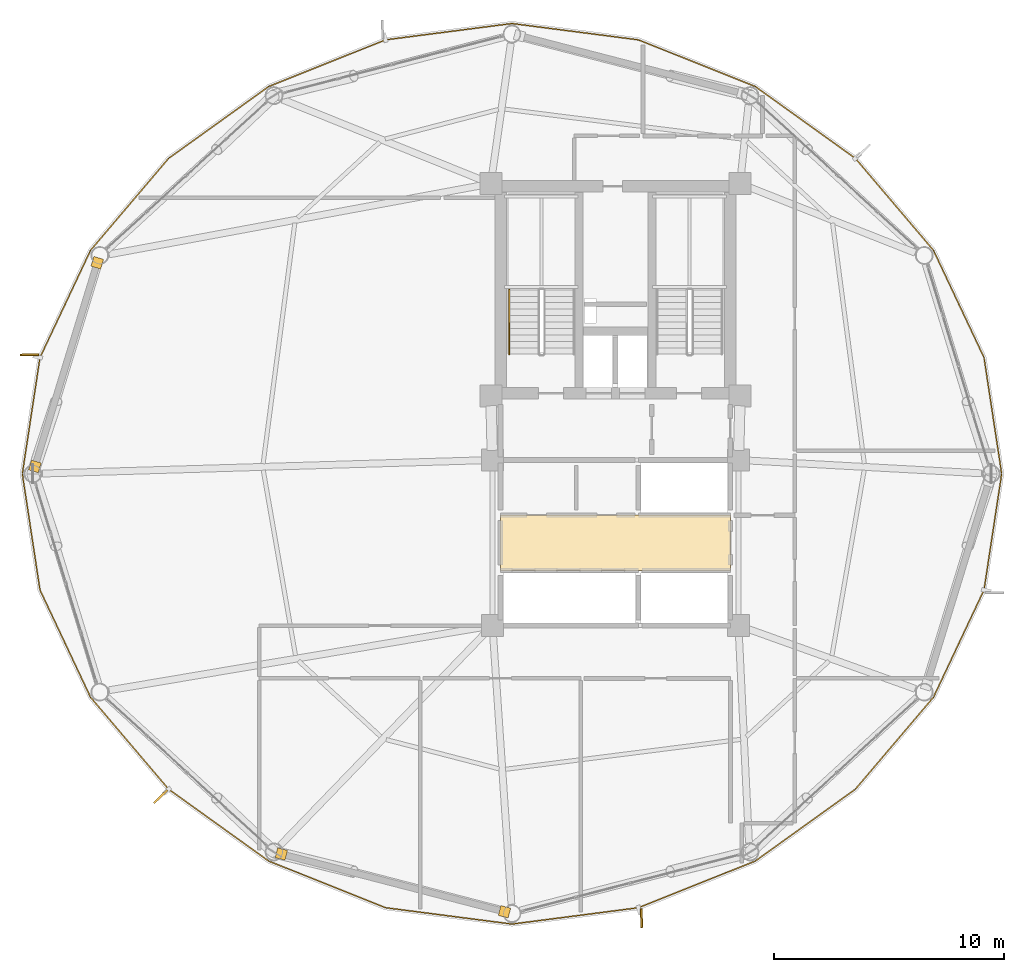
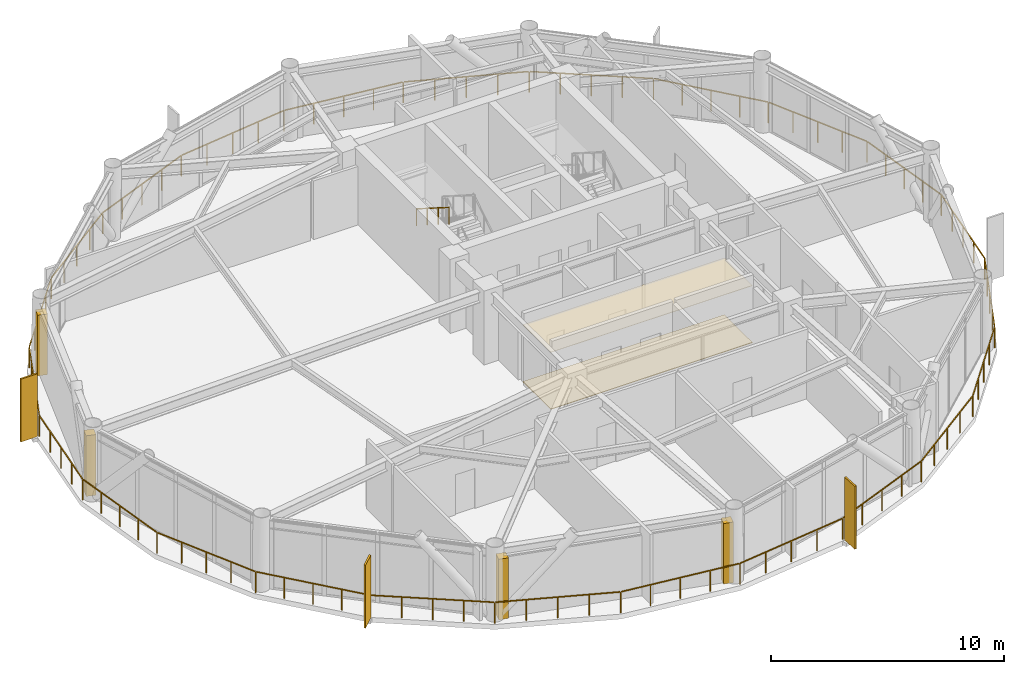
# One storey, part 23 of 25: 6 coverings, 3 shading devices, 2 railings.
"""IFC4 building model written with IfcOpenShell, lengths in metres."""

from ifc_helpers import new_model, si_unit, direction, frame, origin, origin_2d, place, context, subcontext, project, spatial, polyline, rectangle, outline, extrude, source, transform, mapped, material, layer, layer_set, type_object, type_shapes, element, save


model = new_model("IFC4")

# Units and contexts
model_context = context("Model", 3, precision=1e-05, world=origin(), true_north=direction((0.0, 1.0)))
body_context = subcontext(model_context, "Body", "Model", "MODEL_VIEW")
ifc_project = project(units=[si_unit("LENGTHUNIT", "METRE"), si_unit("AREAUNIT", "SQUARE_METRE"), si_unit("VOLUMEUNIT", "CUBIC_METRE"), si_unit("PLANEANGLEUNIT", "RADIAN"), si_unit("MASSUNIT", "GRAM", prefix="KILO")], contexts=[model_context])

# Site, building, storey
site_placement = place(None, origin())
site = spatial("IfcSite", under=ifc_project, at=site_placement, CompositionType="ELEMENT")
building_placement = place(site_placement, origin())
building = spatial("IfcBuilding", under=site, at=building_placement, Name="Varnakorn Sky Granary", CompositionType="ELEMENT")
storey_placement = place(building_placement, frame((0.0, 0.0, 146.10009765625)))
storey = spatial("IfcBuildingStorey", under=building, at=storey_placement, Name="L36", CompositionType="ELEMENT", Elevation=146.10009765625)

# Coverings
ifc_material_1 = material(Name="Perforated Acoustic Mineral-Fibre Ceiling", Category="gypsum")
ifc_layer_1 = layer(ifc_material_1, 0.02001953125, Name="Perforated Acoustic Mineral-Fibre Ceiling")
ifc_layer_set_1 = layer_set([ifc_layer_1], Name="Perforated Acoustic Mineral-Fibre Ceiling")
covering_type_1 = type_object("IfcCoveringType", Name="CV-CEIL-20", PredefinedType="CEILING", material=ifc_layer_set_1)
covering_1_placement = place(storey_placement, frame((0.0, 0.0, 2.989990234375)))
element("IfcCovering", 1, at=covering_1_placement, inside=storey, type_object=covering_type_1, Name="Lift Lobby Perforated Acoustic Ceiling L36", PredefinedType="CEILING", context=body_context, shape_type="SweptSolid", body=[
    extrude(outline(polyline([(-2.0, -4.199951171875), (8.0, -4.199951171875), (8.0, -1.800048828125), (-2.0, -1.800048828125), (-2.0, -4.199951171875)])), origin(), (0.0, 0.0, 1.0), 0.02001953125),
])
ifc_material_2 = material(Name="Honed Epoxy Terrazzo Topping", Category="concrete")
ifc_layer_2 = layer(ifc_material_2, 0.030029296875, Name="Honed Epoxy Terrazzo Topping")
ifc_layer_set_2 = layer_set([ifc_layer_2], Name="Honed Epoxy Terrazzo Topping")
covering_type_2 = type_object("IfcCoveringType", Name="CV-FLOR-30", PredefinedType="FLOORING", material=ifc_layer_set_2)
covering_2_placement = place(storey_placement, origin())
element("IfcCovering", 2, at=covering_2_placement, inside=storey, type_object=covering_type_2, Name="Lift Lobby Terrazzo Floor Finish L36", PredefinedType="FLOORING", context=body_context, shape_type="SweptSolid", body=[
    extrude(outline(polyline([(-2.0, -4.199951171875), (8.0, -4.199951171875), (8.0, -1.800048828125), (-2.0, -1.800048828125), (-2.0, -4.199951171875)])), origin(), (0.0, 0.0, 1.0), 0.02978515625),
])

# Railings
ifc_material_3 = material(Name="Anodised Bronze Aluminium Alloy 6063-T6", Category="aluminium")
railing_type_1 = type_object("IfcRailingType", Name="RL-BAL-1120", PredefinedType="BALUSTRADE", material=ifc_material_3)
railing_1_placement = place(storey_placement, frame((19.798828125, 0.0, 0.0)))
element("IfcRailing", 3, at=railing_1_placement, inside=storey, type_object=railing_type_1, Name="Perimeter Slab-Edge Safety Guard L36", PredefinedType="BALUSTRADE", context=body_context, shape_type="SweptSolid", body=[
    extrude(rectangle(XDim=0.048095703125, YDim=0.048095703125, at=origin_2d()), frame((-0.004150390625, -0.027587890625, 1.09619140625), z_axis=(-0.150287764608, -0.988642295175, 0.0), x_axis=(0.988642295175, -0.150287764608, 0.0)), (0.0, 0.0, 1.0), 5.05615234375),
    extrude(rectangle(XDim=0.048095703125, YDim=0.048095703125, at=origin_2d()), frame((-0.7802734375, -5.07958984375, 1.09619140625), z_axis=(-0.426289243987, -0.904586911502, 0.0), x_axis=(0.904586911502, -0.426289243987, 0.0)), (0.0, 0.0, 1.0), 5.10302734375),
    extrude(rectangle(XDim=0.048095703125, YDim=0.048095703125, at=origin_2d()), frame((-2.985595703125, -9.7421875, 1.09619140625), z_axis=(-0.647276754389, -0.762255077535, 0.0), x_axis=(0.762255077535, -0.647276754389, 0.0)), (0.0, 0.0, 1.0), 5.188720703125),
    extrude(rectangle(XDim=0.048095703125, YDim=0.048095703125, at=origin_2d()), frame((-6.385009765625, -13.735107421875, 1.09619140625), z_axis=(-0.81233646398, -0.58318905107, 0.0), x_axis=(0.58318905107, -0.81233646398, 0.0)), (0.0, 0.0, 1.0), 5.302001953125),
    extrude(rectangle(XDim=0.048095703125, YDim=0.048095703125, at=origin_2d()), frame((-10.740966796875, -16.85400390625, 1.09619140625), z_axis=(-0.928627362348, -0.371013775887, 0.0), x_axis=(0.371013775887, -0.928627362348, 0.0)), (0.0, 0.0, 1.0), 5.4169921875),
    extrude(rectangle(XDim=0.048095703125, YDim=0.048095703125, at=origin_2d()), frame((-15.824951171875, -18.877685546875, 1.09619140625), z_axis=(-0.991748470984, -0.128198948124, 0.0), x_axis=(0.128198948124, -0.991748470984, 0.0)), (0.0, 0.0, 1.0), 5.491455078125),
    extrude(rectangle(XDim=0.048095703125, YDim=0.048095703125, at=origin_2d()), frame((-21.32666015625, -19.58154296875, 1.09619140625), z_axis=(-0.991748470984, 0.128198948124, 0.0), x_axis=(-0.128198948124, -0.991748470984, 0.0)), (0.0, 0.0, 1.0), 5.491455078125),
    extrude(rectangle(XDim=0.048095703125, YDim=0.048095703125, at=origin_2d()), frame((-26.82666015625, -18.863525390625, 1.09619140625), z_axis=(-0.928627362348, 0.371013775887, 0.0), x_axis=(-0.371013775887, -0.928627362348, 0.0)), (0.0, 0.0, 1.0), 5.4169921875),
    extrude(rectangle(XDim=0.048095703125, YDim=0.048095703125, at=origin_2d()), frame((-31.905517578125, -16.8271484375, 1.09619140625), z_axis=(-0.81233646398, 0.58318905107, 0.0), x_axis=(-0.58318905107, -0.81233646398, 0.0)), (0.0, 0.0, 1.0), 5.302001953125),
    extrude(rectangle(XDim=0.048095703125, YDim=0.048095703125, at=origin_2d()), frame((-36.25341796875, -13.697509765625, 1.09619140625), z_axis=(-0.647276754389, 0.762255077535, 0.0), x_axis=(-0.762255077535, -0.647276754389, 0.0)), (0.0, 0.0, 1.0), 5.188720703125),
    extrude(rectangle(XDim=0.048095703125, YDim=0.048095703125, at=origin_2d()), frame((-39.64208984375, -9.695556640625, 1.09619140625), z_axis=(-0.426289243987, 0.904586911502, 0.0), x_axis=(-0.904586911502, -0.426289243987, 0.0)), (0.0, 0.0, 1.0), 5.10302734375),
    extrude(rectangle(XDim=0.048095703125, YDim=0.048095703125, at=origin_2d()), frame((-41.83349609375, -5.026611328125, 1.09619140625), z_axis=(-0.150287764608, 0.988642295175, 0.0), x_axis=(-0.988642295175, -0.150287764608, 0.0)), (0.0, 0.0, 1.0), 5.05615234375),
    extrude(rectangle(XDim=0.048095703125, YDim=0.048095703125, at=origin_2d()), frame((-42.593505859375, 0.027587890625, 1.09619140625), z_axis=(0.150287764608, 0.988642295175, 0.0), x_axis=(-0.988642295175, 0.150287764608, 0.0)), (0.0, 0.0, 1.0), 5.05615234375),
    extrude(rectangle(XDim=0.048095703125, YDim=0.048095703125, at=origin_2d()), frame((-41.8173828125, 5.07958984375, 1.09619140625), z_axis=(0.426289243987, 0.904586911502, 0.0), x_axis=(-0.904586911502, 0.426289243987, 0.0)), (0.0, 0.0, 1.0), 5.10302734375),
    extrude(rectangle(XDim=0.048095703125, YDim=0.048095703125, at=origin_2d()), frame((-39.612060546875, 9.7421875, 1.09619140625), z_axis=(0.647276754389, 0.762255077535, 0.0), x_axis=(-0.762255077535, 0.647276754389, 0.0)), (0.0, 0.0, 1.0), 5.188720703125),
    extrude(rectangle(XDim=0.048095703125, YDim=0.048095703125, at=origin_2d()), frame((-36.212646484375, 13.735107421875, 1.09619140625), z_axis=(0.81233646398, 0.58318905107, 0.0), x_axis=(-0.58318905107, 0.81233646398, 0.0)), (0.0, 0.0, 1.0), 5.302001953125),
    extrude(rectangle(XDim=0.048095703125, YDim=0.048095703125, at=origin_2d()), frame((-31.856689453125, 16.85400390625, 1.09619140625), z_axis=(0.928627362348, 0.371013775887, 0.0), x_axis=(-0.371013775887, 0.928627362348, 0.0)), (0.0, 0.0, 1.0), 5.4169921875),
    extrude(rectangle(XDim=0.048095703125, YDim=0.048095703125, at=origin_2d()), frame((-26.772705078125, 18.877685546875, 1.09619140625), z_axis=(0.991748470984, 0.128198948124, 0.0), x_axis=(-0.128198948124, 0.991748470984, 0.0)), (0.0, 0.0, 1.0), 5.491455078125),
    extrude(rectangle(XDim=0.048095703125, YDim=0.048095703125, at=origin_2d()), frame((-21.27099609375, 19.58154296875, 1.09619140625), z_axis=(0.991748470984, -0.128198948124, 0.0), x_axis=(0.128198948124, 0.991748470984, 0.0)), (0.0, 0.0, 1.0), 5.491455078125),
    extrude(rectangle(XDim=0.048095703125, YDim=0.048095703125, at=origin_2d()), frame((-15.77099609375, 18.863525390625, 1.09619140625), z_axis=(0.928627362348, -0.371013775887, 0.0), x_axis=(0.371013775887, 0.928627362348, 0.0)), (0.0, 0.0, 1.0), 5.4169921875),
    extrude(rectangle(XDim=0.048095703125, YDim=0.048095703125, at=origin_2d()), frame((-10.692138671875, 16.8271484375, 1.09619140625), z_axis=(0.81233646398, -0.58318905107, 0.0), x_axis=(0.58318905107, 0.81233646398, 0.0)), (0.0, 0.0, 1.0), 5.302001953125),
    extrude(rectangle(XDim=0.048095703125, YDim=0.048095703125, at=origin_2d()), frame((-6.34423828125, 13.697509765625, 1.09619140625), z_axis=(0.647276754389, -0.762255077535, 0.0), x_axis=(0.762255077535, 0.647276754389, 0.0)), (0.0, 0.0, 1.0), 5.188720703125),
    extrude(rectangle(XDim=0.048095703125, YDim=0.048095703125, at=origin_2d()), frame((-2.95556640625, 9.695556640625, 1.09619140625), z_axis=(0.426289243987, -0.904586911502, 0.0), x_axis=(0.904586911502, 0.426289243987, 0.0)), (0.0, 0.0, 1.0), 5.10302734375),
    extrude(rectangle(XDim=0.048095703125, YDim=0.048095703125, at=origin_2d()), frame((-0.76416015625, 5.026611328125, 1.09619140625), z_axis=(0.150287764608, -0.988642295175, 0.0), x_axis=(0.988642295175, 0.150287764608, 0.0)), (0.0, 0.0, 1.0), 5.05615234375),
    extrude(rectangle(XDim=0.0419921875, YDim=0.0419921875, at=origin_2d()), origin(), (0.0, 0.0, 1.0), 1.068115234375),
    extrude(rectangle(XDim=0.0419921875, YDim=0.0419921875, at=origin_2d()), frame((-0.192138671875, -1.263671875, 0.0)), (0.0, 0.0, 1.0), 1.068115234375),
    extrude(rectangle(XDim=0.0419921875, YDim=0.0419921875, at=origin_2d()), frame((-0.38427734375, -2.527099609375, 0.0)), (0.0, 0.0, 1.0), 1.068115234375),
    extrude(rectangle(XDim=0.0419921875, YDim=0.0419921875, at=origin_2d()), frame((-0.576171875, -3.79052734375, 0.0)), (0.0, 0.0, 1.0), 1.068115234375),
    extrude(rectangle(XDim=0.0419921875, YDim=0.0419921875, at=origin_2d()), frame((-0.768310546875, -5.05419921875, 0.0)), (0.0, 0.0, 1.0), 1.068115234375),
    extrude(rectangle(XDim=0.0419921875, YDim=0.0419921875, at=origin_2d()), frame((-1.318115234375, -6.220947265625, 0.0)), (0.0, 0.0, 1.0), 1.068115234375),
    extrude(rectangle(XDim=0.0419921875, YDim=0.0419921875, at=origin_2d()), frame((-1.867919921875, -7.3876953125, 0.0)), (0.0, 0.0, 1.0), 1.068115234375),
    extrude(rectangle(XDim=0.0419921875, YDim=0.0419921875, at=origin_2d()), frame((-2.417724609375, -8.55419921875, 0.0)), (0.0, 0.0, 1.0), 1.068115234375),
    extrude(rectangle(XDim=0.0419921875, YDim=0.0419921875, at=origin_2d()), frame((-2.967529296875, -9.720947265625, 0.0)), (0.0, 0.0, 1.0), 1.068115234375),
    extrude(rectangle(XDim=0.0419921875, YDim=0.0419921875, at=origin_2d()), frame((-3.816162109375, -10.720458984375, 0.0)), (0.0, 0.0, 1.0), 1.068115234375),
    extrude(rectangle(XDim=0.0419921875, YDim=0.0419921875, at=origin_2d()), frame((-4.6650390625, -11.7197265625, 0.0)), (0.0, 0.0, 1.0), 1.068115234375),
    extrude(rectangle(XDim=0.0419921875, YDim=0.0419921875, at=origin_2d()), frame((-5.513671875, -12.71923828125, 0.0)), (0.0, 0.0, 1.0), 1.068115234375),
    extrude(rectangle(XDim=0.0419921875, YDim=0.0419921875, at=origin_2d()), frame((-6.3623046875, -13.71875, 0.0)), (0.0, 0.0, 1.0), 1.068115234375),
    extrude(rectangle(XDim=0.0419921875, YDim=0.0419921875, at=origin_2d()), frame((-7.450439453125, -14.5, 0.0)), (0.0, 0.0, 1.0), 1.068115234375),
    extrude(rectangle(XDim=0.0419921875, YDim=0.0419921875, at=origin_2d()), frame((-8.53857421875, -15.28125, 0.0)), (0.0, 0.0, 1.0), 1.068115234375),
    extrude(rectangle(XDim=0.0419921875, YDim=0.0419921875, at=origin_2d()), frame((-9.626708984375, -16.062255859375, 0.0)), (0.0, 0.0, 1.0), 1.068115234375),
    extrude(rectangle(XDim=0.0419921875, YDim=0.0419921875, at=origin_2d()), frame((-10.71484375, -16.843505859375, 0.0)), (0.0, 0.0, 1.0), 1.068115234375),
    extrude(rectangle(XDim=0.0419921875, YDim=0.0419921875, at=origin_2d()), frame((-11.9853515625, -17.35107421875, 0.0)), (0.0, 0.0, 1.0), 1.068115234375),
    extrude(rectangle(XDim=0.0419921875, YDim=0.0419921875, at=origin_2d()), frame((-13.255859375, -17.85888671875, 0.0)), (0.0, 0.0, 1.0), 1.068115234375),
    extrude(rectangle(XDim=0.0419921875, YDim=0.0419921875, at=origin_2d()), frame((-14.526611328125, -18.366455078125, 0.0)), (0.0, 0.0, 1.0), 1.068115234375),
    extrude(rectangle(XDim=0.0419921875, YDim=0.0419921875, at=origin_2d()), frame((-15.797119140625, -18.8740234375, 0.0)), (0.0, 0.0, 1.0), 1.068115234375),
    extrude(rectangle(XDim=0.0419921875, YDim=0.0419921875, at=origin_2d()), frame((-17.172607421875, -19.0517578125, 0.0)), (0.0, 0.0, 1.0), 1.068115234375),
    extrude(rectangle(XDim=0.0419921875, YDim=0.0419921875, at=origin_2d()), frame((-18.5478515625, -19.2294921875, 0.0)), (0.0, 0.0, 1.0), 1.068115234375),
    extrude(rectangle(XDim=0.0419921875, YDim=0.0419921875, at=origin_2d()), frame((-19.92333984375, -19.407470703125, 0.0)), (0.0, 0.0, 1.0), 1.068115234375),
    extrude(rectangle(XDim=0.0419921875, YDim=0.0419921875, at=origin_2d()), frame((-21.298828125, -19.585205078125, 0.0)), (0.0, 0.0, 1.0), 1.068115234375),
    extrude(rectangle(XDim=0.0419921875, YDim=0.0419921875, at=origin_2d()), frame((-22.67431640625, -19.407470703125, 0.0)), (0.0, 0.0, 1.0), 1.068115234375),
    extrude(rectangle(XDim=0.0419921875, YDim=0.0419921875, at=origin_2d()), frame((-24.0498046875, -19.2294921875, 0.0)), (0.0, 0.0, 1.0), 1.068115234375),
    extrude(rectangle(XDim=0.0419921875, YDim=0.0419921875, at=origin_2d()), frame((-25.425048828125, -19.0517578125, 0.0)), (0.0, 0.0, 1.0), 1.068115234375),
    extrude(rectangle(XDim=0.0419921875, YDim=0.0419921875, at=origin_2d()), frame((-26.800537109375, -18.8740234375, 0.0)), (0.0, 0.0, 1.0), 1.068115234375),
    extrude(rectangle(XDim=0.0419921875, YDim=0.0419921875, at=origin_2d()), frame((-28.071044921875, -18.366455078125, 0.0)), (0.0, 0.0, 1.0), 1.068115234375),
    extrude(rectangle(XDim=0.0419921875, YDim=0.0419921875, at=origin_2d()), frame((-29.341796875, -17.85888671875, 0.0)), (0.0, 0.0, 1.0), 1.068115234375),
    extrude(rectangle(XDim=0.0419921875, YDim=0.0419921875, at=origin_2d()), frame((-30.6123046875, -17.35107421875, 0.0)), (0.0, 0.0, 1.0), 1.068115234375),
    extrude(rectangle(XDim=0.0419921875, YDim=0.0419921875, at=origin_2d()), frame((-31.8828125, -16.843505859375, 0.0)), (0.0, 0.0, 1.0), 1.068115234375),
    extrude(rectangle(XDim=0.0419921875, YDim=0.0419921875, at=origin_2d()), frame((-32.970947265625, -16.062255859375, 0.0)), (0.0, 0.0, 1.0), 1.068115234375),
    extrude(rectangle(XDim=0.0419921875, YDim=0.0419921875, at=origin_2d()), frame((-34.05908203125, -15.28125, 0.0)), (0.0, 0.0, 1.0), 1.068115234375),
    extrude(rectangle(XDim=0.0419921875, YDim=0.0419921875, at=origin_2d()), frame((-35.147216796875, -14.5, 0.0)), (0.0, 0.0, 1.0), 1.068115234375),
    extrude(rectangle(XDim=0.0419921875, YDim=0.0419921875, at=origin_2d()), frame((-36.2353515625, -13.71875, 0.0)), (0.0, 0.0, 1.0), 1.068115234375),
    extrude(rectangle(XDim=0.0419921875, YDim=0.0419921875, at=origin_2d()), frame((-37.083984375, -12.71923828125, 0.0)), (0.0, 0.0, 1.0), 1.068115234375),
    extrude(rectangle(XDim=0.0419921875, YDim=0.0419921875, at=origin_2d()), frame((-37.9326171875, -11.7197265625, 0.0)), (0.0, 0.0, 1.0), 1.068115234375),
    extrude(rectangle(XDim=0.0419921875, YDim=0.0419921875, at=origin_2d()), frame((-38.781494140625, -10.720458984375, 0.0)), (0.0, 0.0, 1.0), 1.068115234375),
    extrude(rectangle(XDim=0.0419921875, YDim=0.0419921875, at=origin_2d()), frame((-39.630126953125, -9.720947265625, 0.0)), (0.0, 0.0, 1.0), 1.068115234375),
    extrude(rectangle(XDim=0.0419921875, YDim=0.0419921875, at=origin_2d()), frame((-40.179931640625, -8.55419921875, 0.0)), (0.0, 0.0, 1.0), 1.068115234375),
    extrude(rectangle(XDim=0.0419921875, YDim=0.0419921875, at=origin_2d()), frame((-40.729736328125, -7.3876953125, 0.0)), (0.0, 0.0, 1.0), 1.068115234375),
    extrude(rectangle(XDim=0.0419921875, YDim=0.0419921875, at=origin_2d()), frame((-41.279541015625, -6.220947265625, 0.0)), (0.0, 0.0, 1.0), 1.068115234375),
    extrude(rectangle(XDim=0.0419921875, YDim=0.0419921875, at=origin_2d()), frame((-41.829345703125, -5.05419921875, 0.0)), (0.0, 0.0, 1.0), 1.068115234375),
    extrude(rectangle(XDim=0.0419921875, YDim=0.0419921875, at=origin_2d()), frame((-42.021484375, -3.79052734375, 0.0)), (0.0, 0.0, 1.0), 1.068115234375),
    extrude(rectangle(XDim=0.0419921875, YDim=0.0419921875, at=origin_2d()), frame((-42.21337890625, -2.527099609375, 0.0)), (0.0, 0.0, 1.0), 1.068115234375),
    extrude(rectangle(XDim=0.0419921875, YDim=0.0419921875, at=origin_2d()), frame((-42.405517578125, -1.263671875, 0.0)), (0.0, 0.0, 1.0), 1.068115234375),
    extrude(rectangle(XDim=0.0419921875, YDim=0.0419921875, at=origin_2d()), frame((-42.59765625, 0.0, 0.0)), (0.0, 0.0, 1.0), 1.068115234375),
    extrude(rectangle(XDim=0.0419921875, YDim=0.0419921875, at=origin_2d()), frame((-42.405517578125, 1.263671875, 0.0)), (0.0, 0.0, 1.0), 1.068115234375),
    extrude(rectangle(XDim=0.0419921875, YDim=0.0419921875, at=origin_2d()), frame((-42.21337890625, 2.527099609375, 0.0)), (0.0, 0.0, 1.0), 1.068115234375),
    extrude(rectangle(XDim=0.0419921875, YDim=0.0419921875, at=origin_2d()), frame((-42.021484375, 3.79052734375, 0.0)), (0.0, 0.0, 1.0), 1.068115234375),
    extrude(rectangle(XDim=0.0419921875, YDim=0.0419921875, at=origin_2d()), frame((-41.829345703125, 5.05419921875, 0.0)), (0.0, 0.0, 1.0), 1.068115234375),
    extrude(rectangle(XDim=0.0419921875, YDim=0.0419921875, at=origin_2d()), frame((-41.279541015625, 6.220947265625, 0.0)), (0.0, 0.0, 1.0), 1.068115234375),
    extrude(rectangle(XDim=0.0419921875, YDim=0.0419921875, at=origin_2d()), frame((-40.729736328125, 7.3876953125, 0.0)), (0.0, 0.0, 1.0), 1.068115234375),
    extrude(rectangle(XDim=0.0419921875, YDim=0.0419921875, at=origin_2d()), frame((-40.179931640625, 8.55419921875, 0.0)), (0.0, 0.0, 1.0), 1.068115234375),
    extrude(rectangle(XDim=0.0419921875, YDim=0.0419921875, at=origin_2d()), frame((-39.630126953125, 9.720947265625, 0.0)), (0.0, 0.0, 1.0), 1.068115234375),
    extrude(rectangle(XDim=0.0419921875, YDim=0.0419921875, at=origin_2d()), frame((-38.781494140625, 10.720458984375, 0.0)), (0.0, 0.0, 1.0), 1.068115234375),
    extrude(rectangle(XDim=0.0419921875, YDim=0.0419921875, at=origin_2d()), frame((-37.9326171875, 11.7197265625, 0.0)), (0.0, 0.0, 1.0), 1.068115234375),
    extrude(rectangle(XDim=0.0419921875, YDim=0.0419921875, at=origin_2d()), frame((-37.083984375, 12.71923828125, 0.0)), (0.0, 0.0, 1.0), 1.068115234375),
    extrude(rectangle(XDim=0.0419921875, YDim=0.0419921875, at=origin_2d()), frame((-36.2353515625, 13.71875, 0.0)), (0.0, 0.0, 1.0), 1.068115234375),
    extrude(rectangle(XDim=0.0419921875, YDim=0.0419921875, at=origin_2d()), frame((-35.147216796875, 14.5, 0.0)), (0.0, 0.0, 1.0), 1.068115234375),
    extrude(rectangle(XDim=0.0419921875, YDim=0.0419921875, at=origin_2d()), frame((-34.05908203125, 15.28125, 0.0)), (0.0, 0.0, 1.0), 1.068115234375),
    extrude(rectangle(XDim=0.0419921875, YDim=0.0419921875, at=origin_2d()), frame((-32.970947265625, 16.062255859375, 0.0)), (0.0, 0.0, 1.0), 1.068115234375),
    extrude(rectangle(XDim=0.0419921875, YDim=0.0419921875, at=origin_2d()), frame((-31.8828125, 16.843505859375, 0.0)), (0.0, 0.0, 1.0), 1.068115234375),
    extrude(rectangle(XDim=0.0419921875, YDim=0.0419921875, at=origin_2d()), frame((-30.6123046875, 17.35107421875, 0.0)), (0.0, 0.0, 1.0), 1.068115234375),
    extrude(rectangle(XDim=0.0419921875, YDim=0.0419921875, at=origin_2d()), frame((-29.341796875, 17.85888671875, 0.0)), (0.0, 0.0, 1.0), 1.068115234375),
    extrude(rectangle(XDim=0.0419921875, YDim=0.0419921875, at=origin_2d()), frame((-28.071044921875, 18.366455078125, 0.0)), (0.0, 0.0, 1.0), 1.068115234375),
    extrude(rectangle(XDim=0.0419921875, YDim=0.0419921875, at=origin_2d()), frame((-26.800537109375, 18.8740234375, 0.0)), (0.0, 0.0, 1.0), 1.068115234375),
    extrude(rectangle(XDim=0.0419921875, YDim=0.0419921875, at=origin_2d()), frame((-25.425048828125, 19.0517578125, 0.0)), (0.0, 0.0, 1.0), 1.068115234375),
    extrude(rectangle(XDim=0.0419921875, YDim=0.0419921875, at=origin_2d()), frame((-24.0498046875, 19.2294921875, 0.0)), (0.0, 0.0, 1.0), 1.068115234375),
    extrude(rectangle(XDim=0.0419921875, YDim=0.0419921875, at=origin_2d()), frame((-22.67431640625, 19.407470703125, 0.0)), (0.0, 0.0, 1.0), 1.068115234375),
    extrude(rectangle(XDim=0.0419921875, YDim=0.0419921875, at=origin_2d()), frame((-21.298828125, 19.585205078125, 0.0)), (0.0, 0.0, 1.0), 1.068115234375),
    extrude(rectangle(XDim=0.0419921875, YDim=0.0419921875, at=origin_2d()), frame((-19.92333984375, 19.407470703125, 0.0)), (0.0, 0.0, 1.0), 1.068115234375),
    extrude(rectangle(XDim=0.0419921875, YDim=0.0419921875, at=origin_2d()), frame((-18.5478515625, 19.2294921875, 0.0)), (0.0, 0.0, 1.0), 1.068115234375),
    extrude(rectangle(XDim=0.0419921875, YDim=0.0419921875, at=origin_2d()), frame((-17.172607421875, 19.0517578125, 0.0)), (0.0, 0.0, 1.0), 1.068115234375),
    extrude(rectangle(XDim=0.0419921875, YDim=0.0419921875, at=origin_2d()), frame((-15.797119140625, 18.8740234375, 0.0)), (0.0, 0.0, 1.0), 1.068115234375),
    extrude(rectangle(XDim=0.0419921875, YDim=0.0419921875, at=origin_2d()), frame((-14.526611328125, 18.366455078125, 0.0)), (0.0, 0.0, 1.0), 1.068115234375),
    extrude(rectangle(XDim=0.0419921875, YDim=0.0419921875, at=origin_2d()), frame((-13.255859375, 17.85888671875, 0.0)), (0.0, 0.0, 1.0), 1.068115234375),
    extrude(rectangle(XDim=0.0419921875, YDim=0.0419921875, at=origin_2d()), frame((-11.9853515625, 17.35107421875, 0.0)), (0.0, 0.0, 1.0), 1.068115234375),
    extrude(rectangle(XDim=0.0419921875, YDim=0.0419921875, at=origin_2d()), frame((-10.71484375, 16.843505859375, 0.0)), (0.0, 0.0, 1.0), 1.068115234375),
    extrude(rectangle(XDim=0.0419921875, YDim=0.0419921875, at=origin_2d()), frame((-9.626708984375, 16.062255859375, 0.0)), (0.0, 0.0, 1.0), 1.068115234375),
    extrude(rectangle(XDim=0.0419921875, YDim=0.0419921875, at=origin_2d()), frame((-8.53857421875, 15.28125, 0.0)), (0.0, 0.0, 1.0), 1.068115234375),
    extrude(rectangle(XDim=0.0419921875, YDim=0.0419921875, at=origin_2d()), frame((-7.450439453125, 14.5, 0.0)), (0.0, 0.0, 1.0), 1.068115234375),
    extrude(rectangle(XDim=0.0419921875, YDim=0.0419921875, at=origin_2d()), frame((-6.3623046875, 13.71875, 0.0)), (0.0, 0.0, 1.0), 1.068115234375),
    extrude(rectangle(XDim=0.0419921875, YDim=0.0419921875, at=origin_2d()), frame((-5.513671875, 12.71923828125, 0.0)), (0.0, 0.0, 1.0), 1.068115234375),
    extrude(rectangle(XDim=0.0419921875, YDim=0.0419921875, at=origin_2d()), frame((-4.6650390625, 11.7197265625, 0.0)), (0.0, 0.0, 1.0), 1.068115234375),
    extrude(rectangle(XDim=0.0419921875, YDim=0.0419921875, at=origin_2d()), frame((-3.816162109375, 10.720458984375, 0.0)), (0.0, 0.0, 1.0), 1.068115234375),
    extrude(rectangle(XDim=0.0419921875, YDim=0.0419921875, at=origin_2d()), frame((-2.967529296875, 9.720947265625, 0.0)), (0.0, 0.0, 1.0), 1.068115234375),
    extrude(rectangle(XDim=0.0419921875, YDim=0.0419921875, at=origin_2d()), frame((-2.417724609375, 8.55419921875, 0.0)), (0.0, 0.0, 1.0), 1.068115234375),
    extrude(rectangle(XDim=0.0419921875, YDim=0.0419921875, at=origin_2d()), frame((-1.867919921875, 7.3876953125, 0.0)), (0.0, 0.0, 1.0), 1.068115234375),
    extrude(rectangle(XDim=0.0419921875, YDim=0.0419921875, at=origin_2d()), frame((-1.318115234375, 6.220947265625, 0.0)), (0.0, 0.0, 1.0), 1.068115234375),
    extrude(rectangle(XDim=0.0419921875, YDim=0.0419921875, at=origin_2d()), frame((-0.768310546875, 5.05419921875, 0.0)), (0.0, 0.0, 1.0), 1.068115234375),
    extrude(rectangle(XDim=0.0419921875, YDim=0.0419921875, at=origin_2d()), frame((-0.576171875, 3.79052734375, 0.0)), (0.0, 0.0, 1.0), 1.068115234375),
    extrude(rectangle(XDim=0.0419921875, YDim=0.0419921875, at=origin_2d()), frame((-0.38427734375, 2.527099609375, 0.0)), (0.0, 0.0, 1.0), 1.068115234375),
    extrude(rectangle(XDim=0.0419921875, YDim=0.0419921875, at=origin_2d()), frame((-0.192138671875, 1.263671875, 0.0)), (0.0, 0.0, 1.0), 1.068115234375),
])
ifc_material_4 = material(Name="Brushed Stainless Steel 316", Category="steel")
railing_type_2 = type_object("IfcRailingType", Name="RL-STAIR-920", PredefinedType="HANDRAIL", material=ifc_material_4)
railing_2_placement = place(storey_placement, frame((-1.6201171875, 8.0, 2.127197265625)))
element("IfcRailing", 4, at=railing_2_placement, inside=storey, type_object=railing_type_2, Name="L36 ST-1 stair handrail 2", PredefinedType="HANDRAIL", context=body_context, shape_type="SweptSolid", body=[
    extrude(rectangle(XDim=0.048095703125, YDim=0.048095703125, at=origin_2d()), frame((0.0, 0.0, 0.8759765625), z_axis=(0.0, -0.844908973607, 0.534910110503), x_axis=(1.0, 0.0, 0.0)), (0.0, 0.0, 1.0), 3.31396484375),
    extrude(rectangle(XDim=0.0419921875, YDim=0.0419921875, at=origin_2d()), origin(), (0.0, 0.0, 1.0), 0.847900390625),
    extrude(rectangle(XDim=0.0419921875, YDim=0.0419921875, at=origin_2d()), frame((0.0, -0.933349609375, 0.5908203125)), (0.0, 0.0, 1.0), 0.847900390625),
    extrude(rectangle(XDim=0.0419921875, YDim=0.0419921875, at=origin_2d()), frame((0.0, -1.86669921875, 1.181884765625)), (0.0, 0.0, 1.0), 0.847900390625),
    extrude(rectangle(XDim=0.0419921875, YDim=0.0419921875, at=origin_2d()), frame((0.0, -2.800048828125, 1.772705078125)), (0.0, 0.0, 1.0), 0.847900390625),
])

# Shading devices
shading_device_type = type_object("IfcShadingDeviceType", Name="SH-FIN-02", PredefinedType="USERDEFINED", material=ifc_material_3)
shared_shape_1 = source(origin(), body_context, "Body", "SweptSolid", [
    extrude(rectangle(XDim=0.0849609375, YDim=0.820068359375, at=origin_2d()), origin(), (0.0, 0.0, 1.0), 3.300048828125),
])
type_shapes(shading_device_type, [shared_shape_1])
for number, where, z_axis, x_axis, name in (
    (5, (-22.4873046875, 5.169677734375, -0.0400390625), (0.0, 0.0, 1.0), (0.005790557729, -0.99998323458, 0.0), "Bronze Solar-Tracking Vertical Blade FIN L36-06"),
    (6, (-16.78076171875, -14.03955078125, -0.0400390625), (0.0, 0.0, 1.0), (0.69375509598, -0.720210987699, 0.0), "Bronze Solar-Tracking Vertical Blade FIN L36-08"),
    (7, (4.133056640625, -19.326171875, -0.0400390625), (0.0, 0.0, 1.0), (0.998843469109, 0.04808039328, 0.0), "Bronze Solar-Tracking Vertical Blade FIN L36-10"),
):
    element("IfcShadingDevice", number, at=place(storey_placement, frame(where, z_axis=z_axis, x_axis=x_axis)), inside=storey, type_object=shading_device_type, Name=name, ObjectType="FIN", PredefinedType="USERDEFINED", context=body_context, shape_type="MappedRepresentation", body=[
        mapped(shared_shape_1, transform((0.0, 0.0, 0.0), x_axis=(1.0, 0.0, 0.0), y_axis=(0.0, 1.0, 0.0), z_axis=(0.0, 0.0, 1.0), scale=1.0)),
    ])

# Coverings
ifc_layer_3 = layer(ifc_material_3, 0.050048828125, Name="Anodised Bronze Aluminium Alloy 6063-T6")
ifc_layer_set_3 = layer_set([ifc_layer_3], Name="Anodised Bronze Aluminium Alloy 6063-T6")
covering_type_3 = type_object("IfcCoveringType", Name="CV-CLAD-50", PredefinedType="CLADDING", material=ifc_layer_set_3)
shared_shape_2 = source(origin(), body_context, "Body", "SweptSolid", [
    extrude(rectangle(XDim=0.43994140625, YDim=0.43994140625, at=origin_2d()), origin(), (0.0, 0.0, 1.0), 3.179931640625),
])
type_shapes(covering_type_3, [shared_shape_2])
for number, where, z_axis, x_axis, name in (
    (8, (-22.251708984375, 0.3212890625, -0.02001953125), (0.0, 0.0, 1.0), (0.292872384621, 0.956151539415, 0.0), "Bronze Corner Pilaster Closure L36-P06-A"),
    (9, (-19.5380859375, 9.17919921875, -0.02001953125), (0.0, 0.0, 1.0), (0.292872384621, 0.956151539415, 0.0), "Bronze Corner Pilaster Closure L36-P06-B"),
    (10, (-1.8251953125, -19.0517578125, -0.02001953125), (0.0, 0.0, 1.0), (-0.968103926078, 0.25054897388, 0.0), "Bronze Corner Pilaster Closure L36-P09-A"),
    (11, (-11.5322265625, -16.53955078125, -0.02001953125), (0.0, 0.0, 1.0), (-0.968103926078, 0.25054897388, 0.0), "Bronze Corner Pilaster Closure L36-P09-B"),
):
    element("IfcCovering", number, at=place(storey_placement, frame(where, z_axis=z_axis, x_axis=x_axis)), inside=storey, type_object=covering_type_3, Name=name, PredefinedType="CLADDING", context=body_context, shape_type="MappedRepresentation", body=[
        mapped(shared_shape_2, transform((0.0, 0.0, 0.0), x_axis=(1.0, 0.0, 0.0), y_axis=(0.0, 1.0, 0.0), z_axis=(0.0, 0.0, 1.0), scale=1.0)),
    ])

save(model, "model.ifc")
